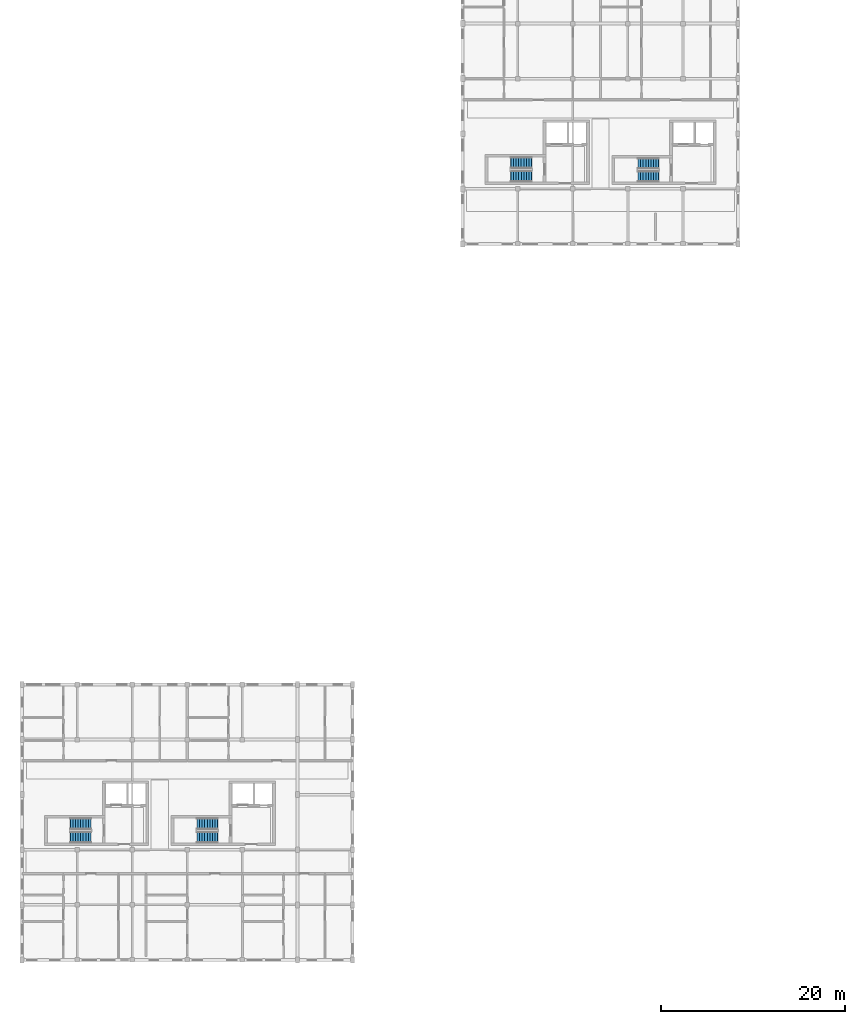
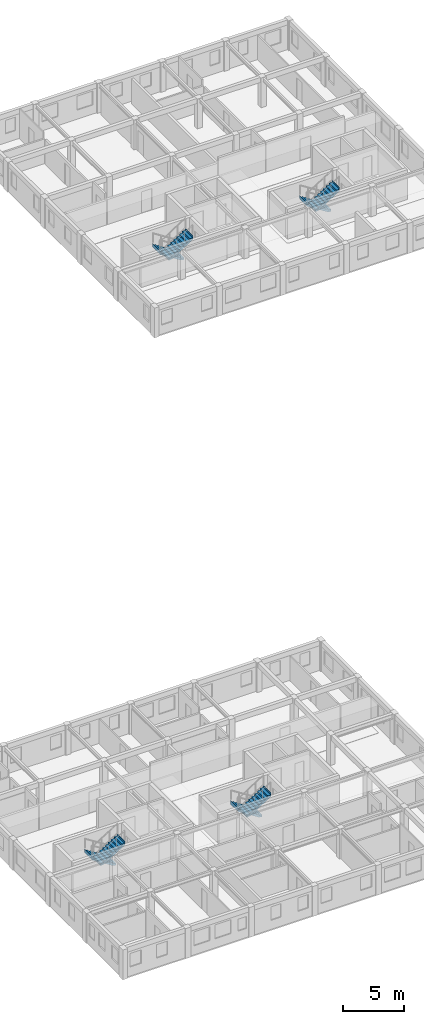
# One storey, part 14 of 17: 8 stair flights, 4 elements without a shape of their own.
"""IFC4 building model written with IfcOpenShell, lengths in metres."""

from ifc_helpers import new_model, si_unit, direction, frame, origin, place, context, subcontext, project, spatial, polyline, outline, extrude, material, type_object, element, aggregate, save


model = new_model("IFC4")

# Units and contexts
model_context = context("Model", 3, precision=1e-05, world=origin(), true_north=direction((0.0, 1.0)))
body_context = subcontext(model_context, "Body", "Model", "MODEL_VIEW")
ifc_project = project(units=[si_unit("LENGTHUNIT", "METRE"), si_unit("AREAUNIT", "SQUARE_METRE"), si_unit("VOLUMEUNIT", "CUBIC_METRE"), si_unit("PLANEANGLEUNIT", "RADIAN"), si_unit("MASSUNIT", "GRAM", prefix="KILO"), si_unit("POWERUNIT", "WATT"), si_unit("THERMODYNAMICTEMPERATUREUNIT", "KELVIN")], contexts=[model_context])

# Site, building, storey
site_placement = place(None, origin())
site = spatial("IfcSite", under=ifc_project, at=site_placement, CompositionType="ELEMENT")
building_placement = place(site_placement, origin())
building = spatial("IfcBuilding", under=site, at=building_placement, Name="Ruvembo Vaulted Housing Court", CompositionType="ELEMENT")
storey_placement = place(building_placement, frame((0.0, 0.0, 30.10009765625)))
storey = spatial("IfcBuildingStorey", under=building, at=storey_placement, Name="L09", CompositionType="ELEMENT", Elevation=30.10009765625)

# Stair, stair flights
ifc_material = material(Name="Concrete C35/45", Category="concrete")
stair_type_1 = type_object("IfcStairType", Name="STR-CORE-1200", PredefinedType="HALF_TURN_STAIR", material=ifc_material)
stair_1_placement = place(storey_placement, origin())
stair_1 = element("IfcStair", 1, at=stair_1_placement, inside=storey, type_object=stair_type_1, Name="L09 Protected Exit Stair ST-B2", PredefinedType="HALF_TURN_STAIR")
stair_flight_type_1 = type_object("IfcStairFlightType", Name="SFL-1200", PredefinedType="STRAIGHT", material=ifc_material)
stair_flight_1_placement = place(storey_placement, frame((69.35009765625, 92.75, 0.0), z_axis=(0.0, 0.0, 1.0), x_axis=(-1.0, 0.0, 0.0)))
stair_flight_1 = element("IfcStairFlight", 2, at=stair_flight_1_placement, type_object=stair_flight_type_1, Name="ST-B2 flight 1", NumberOfRisers=9, NumberOfTreads=8, PredefinedType="STRAIGHT", RiserHeight=0.177777778, TreadLength=0.28, context=body_context, shape_type="SweptSolid", body=[
    extrude(outline(polyline([(-0.02490234375, -0.0400390625), (-0.02490234375, 0.0), (0.0, 0.0), (0.0, 0.177734375), (0.280029296875, 0.177734375), (0.280029296875, 0.35546875), (0.56005859375, 0.35546875), (0.56005859375, 0.533447265625), (0.840087890625, 0.533447265625), (0.840087890625, 0.711181640625), (1.1201171875, 0.711181640625), (1.1201171875, 0.888916015625), (1.39990234375, 0.888916015625), (1.39990234375, 1.066650390625), (1.679931640625, 1.066650390625), (1.679931640625, 1.244384765625), (1.9599609375, 1.244384765625), (1.9599609375, 1.422119140625), (2.239990234375, 1.422119140625), (2.239990234375, 1.60009765625), (2.264892578125, 1.60009765625), (2.264892578125, 1.4501953125), (2.239990234375, 1.24462890625), (0.27978515625, 0.0), (0.0, -0.0400390625), (-0.02490234375, -0.0400390625)])), frame((0.0, 0.60009765625, 0.0), z_axis=(0.0, -1.0, 0.0), x_axis=(1.0, 0.0, 0.0)), (0.0, 0.0, 1.0), 1.199951171875),
])
stair_flight_2_placement = place(storey_placement, frame((67.110107421875, 91.35009765625, 1.599853515625), z_axis=(0.0, 0.0, 1.0), x_axis=(1.0, 0.0, 0.0)))
stair_flight_2 = element("IfcStairFlight", 3, at=stair_flight_2_placement, type_object=stair_flight_type_1, Name="ST-B2 flight 2", NumberOfRisers=9, NumberOfTreads=8, PredefinedType="STRAIGHT", RiserHeight=0.177777778, TreadLength=0.28, context=body_context, shape_type="SweptSolid", body=[
    extrude(outline(polyline([(-0.02490234375, -0.0400390625), (-0.02490234375, 0.0), (0.0, 0.0), (0.0, 0.177734375), (0.280029296875, 0.177734375), (0.280029296875, 0.35546875), (0.56005859375, 0.35546875), (0.56005859375, 0.533447265625), (0.840087890625, 0.533447265625), (0.840087890625, 0.711181640625), (1.1201171875, 0.711181640625), (1.1201171875, 0.888916015625), (1.39990234375, 0.888916015625), (1.39990234375, 1.066650390625), (1.679931640625, 1.066650390625), (1.679931640625, 1.244384765625), (1.9599609375, 1.244384765625), (1.9599609375, 1.422119140625), (2.239990234375, 1.422119140625), (2.239990234375, 1.60009765625), (2.264892578125, 1.60009765625), (2.264892578125, 1.4501953125), (2.239990234375, 1.24462890625), (0.27978515625, 0.0), (0.0, -0.0400390625), (-0.02490234375, -0.0400390625)])), frame((0.0, 0.60009765625, 0.0), z_axis=(0.0, -1.0, 0.0), x_axis=(1.0, 0.0, 0.0)), (0.0, 0.0, 1.0), 1.199951171875),
])
aggregate(stair_1, [stair_flight_1, stair_flight_2])

stair_type_2 = type_object("IfcStairType", Name="STR-CORE-1250", PredefinedType="HALF_TURN_STAIR", material=ifc_material)
stair_2_placement = place(storey_placement, origin())
stair_2 = element("IfcStair", 4, at=stair_2_placement, inside=storey, type_object=stair_type_2, Name="L09 Protected Exit Stair ST-A1", PredefinedType="HALF_TURN_STAIR")
stair_flight_type_2 = type_object("IfcStairFlightType", Name="SFL-1250", PredefinedType="STRAIGHT", material=ifc_material)
stair_flight_3_placement = place(storey_placement, frame((7.5, 20.824951171875, 0.0), z_axis=(0.0, 0.0, 1.0), x_axis=(-1.0, 0.0, 0.0)))
stair_flight_3 = element("IfcStairFlight", 5, at=stair_flight_3_placement, type_object=stair_flight_type_2, Name="ST-A1 flight 1", NumberOfRisers=9, NumberOfTreads=8, PredefinedType="STRAIGHT", RiserHeight=0.177777778, TreadLength=0.28, context=body_context, shape_type="SweptSolid", body=[
    extrude(outline(polyline([(-0.02490234375, -0.0400390625), (-0.02490234375, 0.0), (0.0, 0.0), (0.0, 0.177734375), (0.280029296875, 0.177734375), (0.280029296875, 0.35546875), (0.56005859375, 0.35546875), (0.56005859375, 0.533447265625), (0.840087890625, 0.533447265625), (0.840087890625, 0.711181640625), (1.1201171875, 0.711181640625), (1.1201171875, 0.888916015625), (1.39990234375, 0.888916015625), (1.39990234375, 1.066650390625), (1.679931640625, 1.066650390625), (1.679931640625, 1.244384765625), (1.9599609375, 1.244384765625), (1.9599609375, 1.422119140625), (2.239990234375, 1.422119140625), (2.239990234375, 1.60009765625), (2.264892578125, 1.60009765625), (2.264892578125, 1.4501953125), (2.239990234375, 1.24462890625), (0.27978515625, 0.0), (0.0, -0.0400390625), (-0.02490234375, -0.0400390625)])), frame((0.0, 0.625, 0.0), z_axis=(0.0, -1.0, 0.0), x_axis=(1.0, 0.0, 0.0)), (0.0, 0.0, 1.0), 1.25),
])
stair_flight_4_placement = place(storey_placement, frame((5.260009765625, 19.375, 1.599853515625), z_axis=(0.0, 0.0, 1.0), x_axis=(1.0, 0.0, 0.0)))
stair_flight_4 = element("IfcStairFlight", 6, at=stair_flight_4_placement, type_object=stair_flight_type_2, Name="ST-A1 flight 2", NumberOfRisers=9, NumberOfTreads=8, PredefinedType="STRAIGHT", RiserHeight=0.177777778, TreadLength=0.28, context=body_context, shape_type="SweptSolid", body=[
    extrude(outline(polyline([(-0.02490234375, -0.0400390625), (-0.02490234375, 0.0), (0.0, 0.0), (0.0, 0.177734375), (0.280029296875, 0.177734375), (0.280029296875, 0.35546875), (0.56005859375, 0.35546875), (0.56005859375, 0.533447265625), (0.840087890625, 0.533447265625), (0.840087890625, 0.711181640625), (1.1201171875, 0.711181640625), (1.1201171875, 0.888916015625), (1.39990234375, 0.888916015625), (1.39990234375, 1.066650390625), (1.679931640625, 1.066650390625), (1.679931640625, 1.244384765625), (1.9599609375, 1.244384765625), (1.9599609375, 1.422119140625), (2.239990234375, 1.422119140625), (2.239990234375, 1.60009765625), (2.264892578125, 1.60009765625), (2.264892578125, 1.4501953125), (2.239990234375, 1.24462890625), (0.27978515625, 0.0), (0.0, -0.0400390625), (-0.02490234375, -0.0400390625)])), frame((0.0, 0.625, 0.0), z_axis=(0.0, -1.0, 0.0), x_axis=(1.0, 0.0, 0.0)), (0.0, 0.0, 1.0), 1.25),
])
aggregate(stair_2, [stair_flight_3, stair_flight_4])

stair_3_placement = place(storey_placement, origin())
stair_3 = element("IfcStair", 7, at=stair_3_placement, inside=storey, type_object=stair_type_2, Name="L09 Protected Exit Stair ST-A2", PredefinedType="HALF_TURN_STAIR")
stair_flight_5_placement = place(storey_placement, frame((21.300048828125, 20.824951171875, 0.0), z_axis=(0.0, 0.0, 1.0), x_axis=(-1.0, 0.0, 0.0)))
stair_flight_5 = element("IfcStairFlight", 8, at=stair_flight_5_placement, type_object=stair_flight_type_2, Name="ST-A2 flight 1", NumberOfRisers=9, NumberOfTreads=8, PredefinedType="STRAIGHT", RiserHeight=0.177777778, TreadLength=0.28, context=body_context, shape_type="SweptSolid", body=[
    extrude(outline(polyline([(-0.02490234375, -0.0400390625), (-0.02490234375, 0.0), (0.0, 0.0), (0.0, 0.177734375), (0.280029296875, 0.177734375), (0.280029296875, 0.35546875), (0.56005859375, 0.35546875), (0.56005859375, 0.533447265625), (0.840087890625, 0.533447265625), (0.840087890625, 0.711181640625), (1.1201171875, 0.711181640625), (1.1201171875, 0.888916015625), (1.39990234375, 0.888916015625), (1.39990234375, 1.066650390625), (1.679931640625, 1.066650390625), (1.679931640625, 1.244384765625), (1.9599609375, 1.244384765625), (1.9599609375, 1.422119140625), (2.239990234375, 1.422119140625), (2.239990234375, 1.60009765625), (2.264892578125, 1.60009765625), (2.264892578125, 1.4501953125), (2.239990234375, 1.24462890625), (0.27978515625, 0.0), (0.0, -0.0400390625), (-0.02490234375, -0.0400390625)])), frame((0.0, 0.625, 0.0), z_axis=(0.0, -1.0, 0.0), x_axis=(1.0, 0.0, 0.0)), (0.0, 0.0, 1.0), 1.25),
])
stair_flight_6_placement = place(storey_placement, frame((19.06005859375, 19.375, 1.599853515625), z_axis=(0.0, 0.0, 1.0), x_axis=(1.0, 0.0, 0.0)))
stair_flight_6 = element("IfcStairFlight", 9, at=stair_flight_6_placement, type_object=stair_flight_type_2, Name="ST-A2 flight 2", NumberOfRisers=9, NumberOfTreads=8, PredefinedType="STRAIGHT", RiserHeight=0.177777778, TreadLength=0.28, context=body_context, shape_type="SweptSolid", body=[
    extrude(outline(polyline([(-0.02490234375, -0.0400390625), (-0.02490234375, 0.0), (0.0, 0.0), (0.0, 0.177734375), (0.280029296875, 0.177734375), (0.280029296875, 0.35546875), (0.56005859375, 0.35546875), (0.56005859375, 0.533447265625), (0.840087890625, 0.533447265625), (0.840087890625, 0.711181640625), (1.1201171875, 0.711181640625), (1.1201171875, 0.888916015625), (1.39990234375, 0.888916015625), (1.39990234375, 1.066650390625), (1.679931640625, 1.066650390625), (1.679931640625, 1.244384765625), (1.9599609375, 1.244384765625), (1.9599609375, 1.422119140625), (2.239990234375, 1.422119140625), (2.239990234375, 1.60009765625), (2.264892578125, 1.60009765625), (2.264892578125, 1.4501953125), (2.239990234375, 1.24462890625), (0.27978515625, 0.0), (0.0, -0.0400390625), (-0.02490234375, -0.0400390625)])), frame((0.0, 0.625, 0.0), z_axis=(0.0, -1.0, 0.0), x_axis=(1.0, 0.0, 0.0)), (0.0, 0.0, 1.0), 1.25),
])
aggregate(stair_3, [stair_flight_5, stair_flight_6])

stair_4_placement = place(storey_placement, origin())
stair_4 = element("IfcStair", 10, at=stair_4_placement, inside=storey, type_object=stair_type_2, Name="L09 Protected Exit Stair ST-B1", PredefinedType="HALF_TURN_STAIR")
stair_flight_7_placement = place(storey_placement, frame((55.5, 92.824951171875, 0.0), z_axis=(0.0, 0.0, 1.0), x_axis=(-1.0, 0.0, 0.0)))
stair_flight_7 = element("IfcStairFlight", 11, at=stair_flight_7_placement, type_object=stair_flight_type_2, Name="ST-B1 flight 1", NumberOfRisers=9, NumberOfTreads=8, PredefinedType="STRAIGHT", RiserHeight=0.177777778, TreadLength=0.28, context=body_context, shape_type="SweptSolid", body=[
    extrude(outline(polyline([(-0.02490234375, -0.0400390625), (-0.02490234375, 0.0), (0.0, 0.0), (0.0, 0.177734375), (0.280029296875, 0.177734375), (0.280029296875, 0.35546875), (0.56005859375, 0.35546875), (0.56005859375, 0.533447265625), (0.840087890625, 0.533447265625), (0.840087890625, 0.711181640625), (1.1201171875, 0.711181640625), (1.1201171875, 0.888916015625), (1.39990234375, 0.888916015625), (1.39990234375, 1.066650390625), (1.679931640625, 1.066650390625), (1.679931640625, 1.244384765625), (1.9599609375, 1.244384765625), (1.9599609375, 1.422119140625), (2.239990234375, 1.422119140625), (2.239990234375, 1.60009765625), (2.264892578125, 1.60009765625), (2.264892578125, 1.4501953125), (2.239990234375, 1.24462890625), (0.27978515625, 0.0), (0.0, -0.0400390625), (-0.02490234375, -0.0400390625)])), frame((0.0, 0.625, 0.0), z_axis=(0.0, -1.0, 0.0), x_axis=(1.0, 0.0, 0.0)), (0.0, 0.0, 1.0), 1.25),
])
stair_flight_8_placement = place(storey_placement, frame((53.260009765625, 91.375, 1.599853515625), z_axis=(0.0, 0.0, 1.0), x_axis=(1.0, 0.0, 0.0)))
stair_flight_8 = element("IfcStairFlight", 12, at=stair_flight_8_placement, type_object=stair_flight_type_2, Name="ST-B1 flight 2", NumberOfRisers=9, NumberOfTreads=8, PredefinedType="STRAIGHT", RiserHeight=0.177777778, TreadLength=0.28, context=body_context, shape_type="SweptSolid", body=[
    extrude(outline(polyline([(-0.02490234375, -0.0400390625), (-0.02490234375, 0.0), (0.0, 0.0), (0.0, 0.177734375), (0.280029296875, 0.177734375), (0.280029296875, 0.35546875), (0.56005859375, 0.35546875), (0.56005859375, 0.533447265625), (0.840087890625, 0.533447265625), (0.840087890625, 0.711181640625), (1.1201171875, 0.711181640625), (1.1201171875, 0.888916015625), (1.39990234375, 0.888916015625), (1.39990234375, 1.066650390625), (1.679931640625, 1.066650390625), (1.679931640625, 1.244384765625), (1.9599609375, 1.244384765625), (1.9599609375, 1.422119140625), (2.239990234375, 1.422119140625), (2.239990234375, 1.60009765625), (2.264892578125, 1.60009765625), (2.264892578125, 1.4501953125), (2.239990234375, 1.24462890625), (0.27978515625, 0.0), (0.0, -0.0400390625), (-0.02490234375, -0.0400390625)])), frame((0.0, 0.625, 0.0), z_axis=(0.0, -1.0, 0.0), x_axis=(1.0, 0.0, 0.0)), (0.0, 0.0, 1.0), 1.25),
])
aggregate(stair_4, [stair_flight_7, stair_flight_8])

save(model, "model.ifc")
